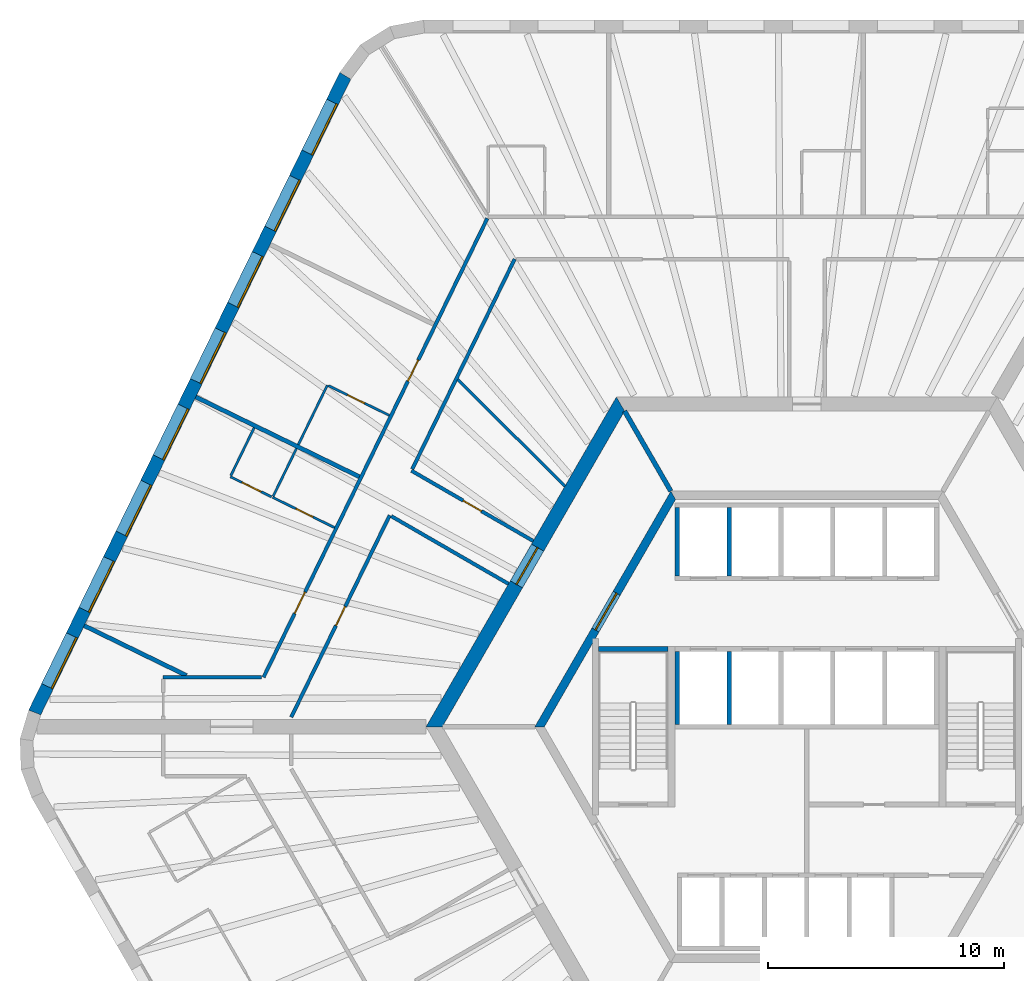
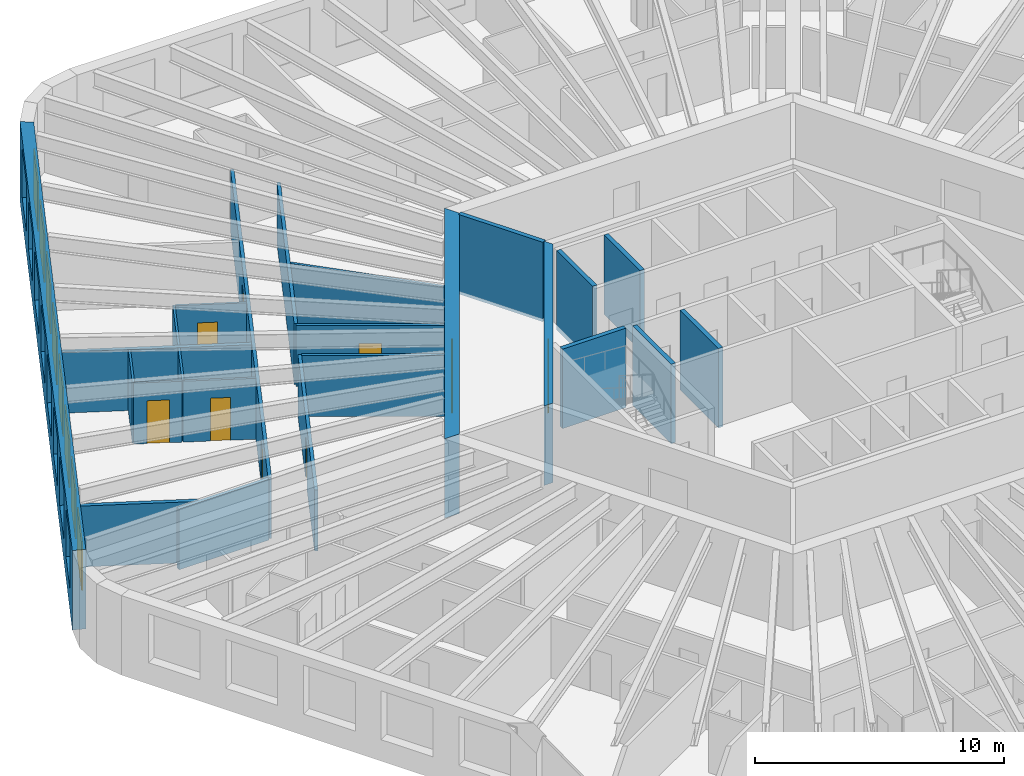
# One storey, part 7 of 12: 24 walls, 9 doors, 8 windows, 17 openings.
"""IFC4 building model written with IfcOpenShell, lengths in metres."""

from ifc_helpers import new_model, si_unit, direction, frame, frame_2d, origin, place, context, subcontext, project, spatial, polyline, rectangle, outline, extrude, material, layer, layer_set, type_object, element, fill, save


model = new_model("IFC4")

# Units and contexts
model_context = context("Model", 3, precision=1e-05, world=origin(), true_north=direction((0.0, 1.0)))
body_context = subcontext(model_context, "Body", "Model", "MODEL_VIEW")
ifc_project = project(units=[si_unit("LENGTHUNIT", "METRE"), si_unit("AREAUNIT", "SQUARE_METRE"), si_unit("VOLUMEUNIT", "CUBIC_METRE"), si_unit("PLANEANGLEUNIT", "RADIAN"), si_unit("MASSUNIT", "GRAM", prefix="KILO")], contexts=[model_context])

# Site, building, storey
site_placement = place(None, origin())
site = spatial("IfcSite", under=ifc_project, at=site_placement, CompositionType="ELEMENT")
building_placement = place(site_placement, origin())
building = spatial("IfcBuilding", under=site, at=building_placement, Name="Tarnside Tower", CompositionType="ELEMENT")
storey_placement = place(building_placement, frame((0.0, 0.0, 88.199951171875)))
storey = spatial("IfcBuildingStorey", under=building, at=storey_placement, Name="L19", CompositionType="ELEMENT", Elevation=88.199951171875)

# Wall
ifc_material_1 = material(Name="Gypsum board partition on steel studs", Category="steel")
ifc_layer_1 = layer(ifc_material_1, 0.10009765625)
ifc_layer_set_1 = layer_set([ifc_layer_1], Name="Bathroom wall 100")
wall_type_1 = type_object("IfcWallType", Name="Bathroom wall 100", PredefinedType="PARTITIONING", material=ifc_layer_set_1)
wall_1_placement = place(storey_placement, frame((-21.5849609375, 11.975341796875, 0.0), z_axis=(0.0, 0.0, 1.0), x_axis=(0.438399667674, 0.898780135174, 0.0)))
element("IfcWall", 1, at=wall_1_placement, inside=storey, type_object=wall_type_1, Name="Bathroom wall 05095", PredefinedType="PARTITIONING", context=body_context, shape_type="SweptSolid", body=[
    extrude(rectangle(XDim=2.81005859375, YDim=0.10009765625, at=frame_2d((1.405029296875, 0.0))), origin(), (0.0, 0.0, 1.0), 2.98779296875),
])

# Wall, opening, door
wall_2_placement = place(storey_placement, frame((-20.30810546875, 14.47900390625, 0.0), z_axis=(0.0, 0.0, 1.0), x_axis=(0.898799457159, -0.438360052708, 0.0)))
wall_2 = element("IfcWall", 2, at=wall_2_placement, inside=storey, type_object=wall_type_1, Name="Bathroom wall 05096", PredefinedType="PARTITIONING", context=body_context, shape_type="SweptSolid", body=[
    extrude(rectangle(XDim=2.875, YDim=0.10009765625, at=frame_2d((1.4375, 0.0))), origin(), (0.0, 0.0, 1.0), 2.98779296875),
])
opening_1_placement = place(wall_2_placement, frame((0.89990234375, 0.0, 0.0)))
opening_1 = element("IfcOpeningElement", 3, at=opening_1_placement, cuts=wall_2, Name="Opening D-B1", PredefinedType="OPENING", context=body_context, shape_type="SweptSolid", body=[
    extrude(rectangle(XDim=0.800048828125, YDim=2.10009765625, at=frame_2d((0.39990234375, 1.050048828125))), frame((0.0, 0.06005859375, 0.0), z_axis=(0.0, -1.0, 0.0), x_axis=(1.0, 0.0, 0.0)), (0.0, 0.0, 1.0), 0.1201171875),
])
ifc_material_2 = material(Name="Timber door leaf", Category="wood")
door_type_1 = type_object("IfcDoorType", Name="Bathroom door 800", OperationType="NOTDEFINED", PredefinedType="DOOR", material=ifc_material_2)
door_1_placement = place(opening_1_placement, origin())
door_1 = element("IfcDoor", 4, at=door_1_placement, inside=storey, type_object=door_type_1, Name="Bathroom door 05010", OperationType="SINGLE_SWING_RIGHT", OverallHeight=2.10009765625, OverallWidth=0.800048828125, PredefinedType="DOOR", context=body_context, shape_type="SweptSolid", body=[
    extrude(rectangle(XDim=0.800048828125, YDim=2.10009765625, at=frame_2d((0.39990234375, 1.050048828125))), frame((0.0, 0.02490234375, 0.0), z_axis=(0.0, -1.0, 0.0), x_axis=(1.0, 0.0, 0.0)), (0.0, 0.0, 1.0), 0.050048828125),
])
fill(opening_1, door_1)

wall_3_placement = place(storey_placement, frame((-20.04736328125, 8.455078125, 0.0), z_axis=(0.0, 0.0, 1.0), x_axis=(-0.89880694479, 0.438344699976, 0.0)))
wall_3 = element("IfcWall", 5, at=wall_3_placement, inside=storey, type_object=wall_type_1, Name="Bathroom wall 05100", PredefinedType="PARTITIONING", context=body_context, shape_type="SweptSolid", body=[
    extrude(rectangle(XDim=2.925048828125, YDim=0.10009765625, at=frame_2d((1.46240234375, 0.0))), origin(), (0.0, 0.0, 1.0), 2.98779296875),
])
opening_2_placement = place(wall_3_placement, frame((1.02490234375, 0.0, 0.0)))
opening_2 = element("IfcOpeningElement", 6, at=opening_2_placement, cuts=wall_3, Name="Opening D-B1", PredefinedType="OPENING", context=body_context, shape_type="SweptSolid", body=[
    extrude(rectangle(XDim=0.800048828125, YDim=2.10009765625, at=frame_2d((0.39990234375, 1.050048828125))), frame((0.0, 0.06005859375, 0.0), z_axis=(0.0, -1.0, 0.0), x_axis=(1.0, 0.0, 0.0)), (0.0, 0.0, 1.0), 0.1201171875),
])
door_2_placement = place(opening_2_placement, origin())
door_2 = element("IfcDoor", 7, at=door_2_placement, inside=storey, type_object=door_type_1, Name="Bathroom door 05012", OperationType="SINGLE_SWING_RIGHT", OverallHeight=2.10009765625, OverallWidth=0.800048828125, PredefinedType="DOOR", context=body_context, shape_type="SweptSolid", body=[
    extrude(rectangle(XDim=0.800048828125, YDim=2.10009765625, at=frame_2d((0.39990234375, 1.050048828125))), frame((0.0, 0.02490234375, 0.0), z_axis=(0.0, -1.0, 0.0), x_axis=(1.0, 0.0, 0.0)), (0.0, 0.0, 1.0), 0.050048828125),
])
fill(opening_2, door_2)

# Wall
wall_4_placement = place(storey_placement, frame((-21.663818359375, 11.8134765625, 0.0), z_axis=(0.0, 0.0, 1.0), x_axis=(-0.438376807268, -0.898791285477, 0.0)))
element("IfcWall", 8, at=wall_4_placement, inside=storey, type_object=wall_type_1, Name="Bathroom wall 05104", PredefinedType="PARTITIONING", context=body_context, shape_type="SweptSolid", body=[
    extrude(rectangle(XDim=2.260009765625, YDim=0.10009765625, at=frame_2d((1.1298828125, 0.0))), origin(), (0.0, 0.0, 1.0), 2.98779296875),
])

# Wall, opening, door
ifc_material_3 = material(Name="Concrete C50/60", Category="concrete")
ifc_layer_2 = layer(ifc_material_3, 0.35009765625)
ifc_layer_set_2 = layer_set([ifc_layer_2], Name="Core block wall 350 C50/60")
wall_type_2 = type_object("IfcWallType", Name="Core block wall 350 C50/60", PredefinedType="SHEAR", material=ifc_layer_set_2)
wall_5_placement = place(storey_placement, frame((-5.672607421875, 9.824951171875, -0.14990234375), z_axis=(0.0, 0.0, 1.0), x_axis=(-0.499995046907, -0.866028263435, 0.0)))
wall_5 = element("IfcWall", 9, at=wall_5_placement, inside=storey, type_object=wall_type_2, Name="L19 core block wall face 2", PredefinedType="SHEAR", context=body_context, shape_type="SweptSolid", body=[
    extrude(outline(polyline([(-0.10107421875, -0.175048828125), (11.44580078125, -0.175048828125), (11.24365234375, 0.175048828125), (0.10107421875, 0.175048828125), (-0.10107421875, -0.175048828125)])), origin(), (0.0, 0.0, 1.0), 3.89990234375),
])
opening_3_placement = place(wall_5_placement, frame((4.80126953125, 0.0, 0.14990234375)))
opening_3 = element("IfcOpeningElement", 10, at=opening_3_placement, cuts=wall_5, Name="Opening CD-LOB", PredefinedType="OPENING", context=body_context, shape_type="SweptSolid", body=[
    extrude(rectangle(XDim=1.800048828125, YDim=2.39990234375, at=frame_2d((0.89990234375, 1.199951171875))), frame((0.0, 0.18505859375, 0.0), z_axis=(0.0, -1.0, 0.0), x_axis=(1.0, 0.0, 0.0)), (0.0, 0.0, 1.0), 0.3701171875),
])
ifc_material_4 = material(Name="Steel fire door", Category="steel")
door_type_2 = type_object("IfcDoorType", Name="Lobby double door FD30S 1800x2400", OperationType="NOTDEFINED", PredefinedType="DOOR", material=ifc_material_4)
door_3_placement = place(opening_3_placement, origin())
door_3 = element("IfcDoor", 11, at=door_3_placement, inside=storey, type_object=door_type_2, Name="L19 lobby block door P1", OperationType="DOUBLE_DOOR_SINGLE_SWING", OverallHeight=2.39990234375, OverallWidth=1.800048828125, PredefinedType="DOOR", context=body_context, shape_type="SweptSolid", body=[
    extrude(rectangle(XDim=1.800048828125, YDim=2.39990234375, at=frame_2d((0.89990234375, 1.199951171875))), frame((0.0, 0.02490234375, 0.0), z_axis=(0.0, -1.0, 0.0), x_axis=(1.0, 0.0, 0.0)), (0.0, 0.0, 1.0), 0.050048828125),
])
fill(opening_3, door_3)

ifc_material_5 = material(Name="Concrete C80/95", Category="concrete")
ifc_layer_3 = layer(ifc_material_5, 0.60009765625)
ifc_layer_set_3 = layer_set([ifc_layer_3], Name="Core wall Z1 600 C80/95")
wall_type_3 = type_object("IfcWallType", Name="Core wall Z1 600 C80/95", PredefinedType="SHEAR", material=ifc_layer_set_3)
wall_6_placement = place(storey_placement, frame((-7.90966796875, 13.699951171875, -0.14990234375), z_axis=(0.0, 0.0, 1.0), x_axis=(-0.499999880136, -0.866025472988, 0.0)))
wall_6 = element("IfcWall", 12, at=wall_6_placement, inside=storey, type_object=wall_type_3, Name="L19 core wall face 2", PredefinedType="SHEAR", context=body_context, shape_type="SweptSolid", body=[
    extrude(outline(polyline([(-0.17333984375, -0.300048828125), (15.99267578125, -0.300048828125), (15.64599609375, 0.300048828125), (0.17333984375, 0.300048828125), (-0.17333984375, -0.300048828125)])), origin(), (0.0, 0.0, 1.0), 3.89990234375),
])
opening_4_placement = place(wall_6_placement, frame((7.03857421875, 0.0, 0.14990234375)))
opening_4 = element("IfcOpeningElement", 13, at=opening_4_placement, cuts=wall_6, Name="Opening CD-LOB", PredefinedType="OPENING", context=body_context, shape_type="SweptSolid", body=[
    extrude(rectangle(XDim=1.800048828125, YDim=2.39990234375, at=frame_2d((0.89990234375, 1.199951171875))), frame((0.0, 0.31005859375, 0.0), z_axis=(0.0, -1.0, 0.0), x_axis=(1.0, 0.0, 0.0)), (0.0, 0.0, 1.0), 0.6201171875),
])
door_4_placement = place(opening_4_placement, origin())
door_4 = element("IfcDoor", 14, at=door_4_placement, inside=storey, type_object=door_type_2, Name="L19 core door P1", OperationType="DOUBLE_DOOR_SINGLE_SWING", OverallHeight=2.39990234375, OverallWidth=1.800048828125, PredefinedType="DOOR", context=body_context, shape_type="SweptSolid", body=[
    extrude(rectangle(XDim=1.800048828125, YDim=2.39990234375, at=frame_2d((0.89990234375, 1.199951171875))), frame((0.0, 0.02490234375, 0.0), z_axis=(0.0, -1.0, 0.0), x_axis=(1.0, 0.0, 0.0)), (0.0, 0.0, 1.0), 0.050048828125),
])
fill(opening_4, door_4)

# Wall, openings, doors
ifc_layer_4 = layer(ifc_material_1, 0.14990234375)
ifc_layer_set_4 = layer_set([ifc_layer_4], Name="Corridor wall 150 EI 60")
wall_type_4 = type_object("IfcWallType", Name="Corridor wall 150 EI 60", PredefinedType="PARTITIONING", material=ifc_layer_set_4)
wall_7_placement = place(storey_placement, frame((-13.56494140625, 21.574951171875, 0.0), z_axis=(0.0, 0.0, 1.0), x_axis=(-0.438380787243, -0.898789344272, 0.0)))
wall_7 = element("IfcWall", 15, at=wall_7_placement, inside=storey, type_object=wall_type_4, Name="Corridor wall 05009", PredefinedType="PARTITIONING", context=body_context, shape_type="SweptSolid", body=[
    extrude(rectangle(XDim=21.66796875, YDim=0.14990234375, at=frame_2d((10.833984375, 0.0))), origin(), (0.0, 0.0, 1.0), 2.98779296875),
])
opening_5_placement = place(wall_7_placement, frame((6.683837890625, 0.0, 0.0)))
opening_5 = element("IfcOpeningElement", 16, at=opening_5_placement, cuts=wall_7, Name="Opening D-E1", PredefinedType="OPENING", context=body_context, shape_type="SweptSolid", body=[
    extrude(rectangle(XDim=1.0, YDim=2.10009765625, at=frame_2d((0.5, 1.050048828125))), frame((0.0, 0.0849609375, 0.0), z_axis=(0.0, -1.0, 0.0), x_axis=(1.0, 0.0, 0.0)), (0.0, 0.0, 1.0), 0.169921875),
])
opening_6_placement = place(wall_7_placement, frame((17.65087890625, 0.0, 0.0)))
opening_6 = element("IfcOpeningElement", 17, at=opening_6_placement, cuts=wall_7, Name="Opening D-E1", PredefinedType="OPENING", context=body_context, shape_type="SweptSolid", body=[
    extrude(rectangle(XDim=1.0, YDim=2.10009765625, at=frame_2d((0.5, 1.050048828125))), frame((0.0, 0.0849609375, 0.0), z_axis=(0.0, -1.0, 0.0), x_axis=(1.0, 0.0, 0.0)), (0.0, 0.0, 1.0), 0.169921875),
])
door_type_3 = type_object("IfcDoorType", Name="Unit entrance door 1000 FD30S", OperationType="NOTDEFINED", PredefinedType="DOOR", material=ifc_material_2)
door_5_placement = place(opening_5_placement, origin())
door_5 = element("IfcDoor", 18, at=door_5_placement, inside=storey, type_object=door_type_3, Name="Unit door 05009", OperationType="SINGLE_SWING_LEFT", OverallHeight=2.10009765625, OverallWidth=1.0, PredefinedType="DOOR", context=body_context, shape_type="SweptSolid", body=[
    extrude(rectangle(XDim=1.0, YDim=2.10009765625, at=frame_2d((0.5, 1.050048828125))), frame((0.0, 0.02490234375, 0.0), z_axis=(0.0, -1.0, 0.0), x_axis=(1.0, 0.0, 0.0)), (0.0, 0.0, 1.0), 0.050048828125),
])
fill(opening_5, door_5)
door_6_placement = place(opening_6_placement, origin())
door_6 = element("IfcDoor", 19, at=door_6_placement, inside=storey, type_object=door_type_3, Name="Unit door 05011", OperationType="SINGLE_SWING_LEFT", OverallHeight=2.10009765625, OverallWidth=1.0, PredefinedType="DOOR", context=body_context, shape_type="SweptSolid", body=[
    extrude(rectangle(XDim=1.0, YDim=2.10009765625, at=frame_2d((0.5, 1.050048828125))), frame((0.0, 0.02490234375, 0.0), z_axis=(0.0, -1.0, 0.0), x_axis=(1.0, 0.0, 0.0)), (0.0, 0.0, 1.0), 0.050048828125),
])
fill(opening_6, door_6)

# Walls
wall_8_placement = place(storey_placement, frame((-23.14697265625, 2.10009765625, 0.0), z_axis=(0.0, 0.0, 1.0), x_axis=(-1.0, 0.0, 0.0)))
element("IfcWall", 20, at=wall_8_placement, inside=storey, type_object=wall_type_4, Name="Corridor wall 05013", PredefinedType="PARTITIONING", context=body_context, shape_type="SweptSolid", body=[
    extrude(rectangle(XDim=4.17333984375, YDim=0.14990234375, at=frame_2d((2.086669921875, 0.0))), origin(), (0.0, 0.0, 1.0), 2.98779296875),
])
wall_9_placement = place(storey_placement, frame((-16.7509765625, 10.936767578125, 0.0), z_axis=(0.0, 0.0, 1.0), x_axis=(0.438378523504, 0.898790448397, 0.0)))
element("IfcWall", 21, at=wall_9_placement, inside=storey, type_object=wall_type_4, Name="Corridor wall 05017", PredefinedType="PARTITIONING", context=body_context, shape_type="SweptSolid", body=[
    extrude(rectangle(XDim=9.9169921875, YDim=0.14990234375, at=frame_2d((4.95849609375, 0.0))), origin(), (0.0, 0.0, 1.0), 2.98779296875),
])

# Wall, opening, door
wall_10_placement = place(storey_placement, frame((-11.61376953125, 7.88427734375, 0.0), z_axis=(0.0, 0.0, 1.0), x_axis=(-0.86603508376, 0.499983233416, 0.0)))
wall_10 = element("IfcWall", 22, at=wall_10_placement, inside=storey, type_object=wall_type_4, Name="Corridor wall 05020", PredefinedType="PARTITIONING", context=body_context, shape_type="SweptSolid", body=[
    extrude(rectangle(XDim=5.969970703125, YDim=0.14990234375, at=frame_2d((2.98486328125, 0.0))), origin(), (0.0, 0.0, 1.0), 2.98779296875),
])
opening_7_placement = place(wall_10_placement, frame((2.534912109375, 0.0, 0.0)))
opening_7 = element("IfcOpeningElement", 23, at=opening_7_placement, cuts=wall_10, Name="Opening D-S1", PredefinedType="OPENING", context=body_context, shape_type="SweptSolid", body=[
    extrude(rectangle(XDim=0.89990234375, YDim=2.10009765625, at=frame_2d((0.449951171875, 1.050048828125))), frame((0.0, 0.0849609375, 0.0), z_axis=(0.0, -1.0, 0.0), x_axis=(1.0, 0.0, 0.0)), (0.0, 0.0, 1.0), 0.169921875),
])
door_type_4 = type_object("IfcDoorType", Name="Service room door 900 FD30S", OperationType="NOTDEFINED", PredefinedType="DOOR", material=ifc_material_2)
door_7_placement = place(opening_7_placement, origin())
door_7 = element("IfcDoor", 24, at=door_7_placement, inside=storey, type_object=door_type_4, Name="Service door 05042", OperationType="SINGLE_SWING_RIGHT", OverallHeight=2.10009765625, OverallWidth=0.89990234375, PredefinedType="DOOR", context=body_context, shape_type="SweptSolid", body=[
    extrude(rectangle(XDim=0.89990234375, YDim=2.10009765625, at=frame_2d((0.449951171875, 1.050048828125))), frame((0.0, 0.02490234375, 0.0), z_axis=(0.0, -1.0, 0.0), x_axis=(1.0, 0.0, 0.0)), (0.0, 0.0, 1.0), 0.050048828125),
])
fill(opening_7, door_7)

wall_11_placement = place(storey_placement, frame((-21.88525390625, 0.41015625, 0.0), z_axis=(0.0, 0.0, 1.0), x_axis=(0.43837064471, 0.898794291179, 0.0)))
wall_11 = element("IfcWall", 25, at=wall_11_placement, inside=storey, type_object=wall_type_4, Name="Corridor wall 05025", PredefinedType="PARTITIONING", context=body_context, shape_type="SweptSolid", body=[
    extrude(rectangle(XDim=9.53173828125, YDim=0.14990234375, at=frame_2d((4.765869140625, 0.0))), origin(), (0.0, 0.0, 1.0), 2.98779296875),
])
opening_8_placement = place(wall_11_placement, frame((4.31591796875, 0.0, 0.0)))
opening_8 = element("IfcOpeningElement", 26, at=opening_8_placement, cuts=wall_11, Name="Opening D-S1", PredefinedType="OPENING", context=body_context, shape_type="SweptSolid", body=[
    extrude(rectangle(XDim=0.89990234375, YDim=2.10009765625, at=frame_2d((0.449951171875, 1.050048828125))), frame((0.0, 0.0849609375, 0.0), z_axis=(0.0, -1.0, 0.0), x_axis=(1.0, 0.0, 0.0)), (0.0, 0.0, 1.0), 0.169921875),
])
door_8_placement = place(opening_8_placement, origin())
door_8 = element("IfcDoor", 27, at=door_8_placement, inside=storey, type_object=door_type_4, Name="Service door 05044", OperationType="SINGLE_SWING_RIGHT", OverallHeight=2.10009765625, OverallWidth=0.89990234375, PredefinedType="DOOR", context=body_context, shape_type="SweptSolid", body=[
    extrude(rectangle(XDim=0.89990234375, YDim=2.10009765625, at=frame_2d((0.449951171875, 1.050048828125))), frame((0.0, 0.02490234375, 0.0), z_axis=(0.0, -1.0, 0.0), x_axis=(1.0, 0.0, 0.0)), (0.0, 0.0, 1.0), 0.050048828125),
])
fill(opening_8, door_8)

# Walls
wall_12_placement = place(storey_placement, frame((-17.6416015625, 8.939697265625, 0.0), z_axis=(0.0, 0.0, 1.0), x_axis=(0.866017948234, -0.500012913169, 0.0)))
element("IfcWall", 28, at=wall_12_placement, inside=storey, type_object=wall_type_4, Name="Corridor wall 05026", PredefinedType="PARTITIONING", context=body_context, shape_type="SweptSolid", body=[
    extrude(rectangle(XDim=5.747802734375, YDim=0.14990234375, at=frame_2d((2.8740234375, 0.0))), origin(), (0.0, 0.0, 1.0), 2.98779296875),
])
ifc_layer_5 = layer(ifc_material_1, 0.179931640625)
ifc_layer_set_5 = layer_set([ifc_layer_5], Name="Demising wall 180 EI 60")
wall_type_5 = type_object("IfcWallType", Name="Demising wall 180 EI 60", PredefinedType="PARTITIONING", material=ifc_layer_set_5)
wall_13_placement = place(storey_placement, frame((-25.9384765625, 13.99853515625, 0.0), z_axis=(0.0, 0.0, 1.0), x_axis=(0.898789402655, -0.438380667542, 0.0)))
element("IfcWall", 29, at=wall_13_placement, inside=storey, type_object=wall_type_5, Name="Demising wall 05097", PredefinedType="PARTITIONING", context=body_context, shape_type="SweptSolid", body=[
    extrude(rectangle(XDim=7.724853515625, YDim=0.179931640625, at=frame_2d((3.8623046875, 0.0))), origin(), (0.0, 0.0, 1.0), 2.98779296875),
])
wall_14_placement = place(storey_placement, frame((-30.673095703125, 4.29150390625, 0.0), z_axis=(0.0, 0.0, 1.0), x_axis=(0.898812662672, -0.438332975512, 0.0)))
element("IfcWall", 30, at=wall_14_placement, inside=storey, type_object=wall_type_5, Name="Demising wall 05103", PredefinedType="PARTITIONING", context=body_context, shape_type="SweptSolid", body=[
    extrude(rectangle(XDim=4.828369140625, YDim=0.179931640625, at=frame_2d((2.4140625, 0.0))), origin(), (0.0, 0.0, 1.0), 2.98779296875),
])
ifc_material_6 = material(Name="Concrete C40/50", Category="concrete")
ifc_layer_6 = layer(ifc_material_6, 0.199951171875)
ifc_layer_set_6 = layer_set([ifc_layer_6], Name="Lift shaft wall 200 C40/50")
wall_type_6 = type_object("IfcWallType", Name="Lift shaft wall 200 C40/50", PredefinedType="SHEAR", material=ifc_layer_set_6)
for number, where, z_axis, x_axis, name in (
    (31, (-5.5, 6.39990234375, -0.25), (0.0, 0.0, 1.0), (0.0, 1.0, 0.0), "L19 lift shaft partition R11"),
    (32, (-3.300048828125, 6.39990234375, -0.25), (0.0, 0.0, 1.0), (0.0, 1.0, 0.0), "L19 lift shaft partition R12"),
):
    element("IfcWall", number, at=place(storey_placement, frame(where, z_axis=z_axis, x_axis=x_axis)), inside=storey, type_object=wall_type_6, Name=name, PredefinedType="SHEAR", context=body_context, shape_type="SweptSolid", body=[
        extrude(rectangle(XDim=2.900146484375, YDim=0.199951171875, at=frame_2d((1.4501953125, 0.0))), origin(), (0.0, 0.0, 1.0), 3.900146484375),
    ])
for number, where, z_axis, x_axis, name in (
    (33, (-5.5, 0.10009765625, -0.25), (0.0, 0.0, 1.0), (0.0, 1.0, 0.0), "L19 lift shaft partition R21"),
    (34, (-3.300048828125, 0.10009765625, -0.25), (0.0, 0.0, 1.0), (0.0, 1.0, 0.0), "L19 lift shaft partition R22"),
):
    element("IfcWall", number, at=place(storey_placement, frame(where, z_axis=z_axis, x_axis=x_axis)), inside=storey, type_object=wall_type_6, Name=name, PredefinedType="SHEAR", context=body_context, shape_type="SweptSolid", body=[
        extrude(rectangle(XDim=3.099853515625, YDim=0.199951171875, at=frame_2d((1.5498046875, 0.0))), origin(), (0.0, 0.0, 1.0), 3.900146484375),
    ])
wall_15_placement = place(storey_placement, frame((-5.7734375, 10.0, -0.14990234375), z_axis=(0.0, 0.0, 1.0), x_axis=(-0.500038251005, 0.86600331843, 0.0)))
element("IfcWall", 35, at=wall_15_placement, inside=storey, type_object=wall_type_6, Name="L19 core partition AR120", PredefinedType="SHEAR", context=body_context, shape_type="SweptSolid", body=[
    extrude(rectangle(XDim=3.926025390625, YDim=0.199951171875, at=frame_2d((1.962890625, 0.0))), origin(), (0.0, 0.0, 1.0), 3.89990234375),
])
wall_16_placement = place(storey_placement, frame((-8.85009765625, 3.300048828125, -0.25), z_axis=(0.0, 0.0, 1.0), x_axis=(1.0, 0.0, 0.0)))
element("IfcWall", 36, at=wall_16_placement, inside=storey, type_object=wall_type_6, Name="L19 stair 2 enclosure cap wall n", PredefinedType="SHEAR", context=body_context, shape_type="SweptSolid", body=[
    extrude(rectangle(XDim=2.9501953125, YDim=0.199951171875, at=frame_2d((1.47509765625, 0.0))), origin(), (0.0, 0.0, 1.0), 3.900146484375),
])

# Wall, opening, door
ifc_layer_7 = layer(ifc_material_1, 0.10009765625)
ifc_layer_set_7 = layer_set([ifc_layer_7], Name="Partition 100")
wall_type_7 = type_object("IfcWallType", Name="Partition 100", PredefinedType="PARTITIONING", material=ifc_layer_set_7)
wall_17_placement = place(storey_placement, frame((-22.721435546875, 9.75927734375, 0.0), z_axis=(0.0, 0.0, 1.0), x_axis=(-0.898815368173, 0.438327427772, 0.0)))
wall_17 = element("IfcWall", 37, at=wall_17_placement, inside=storey, type_object=wall_type_7, Name="Partition wall 05101", PredefinedType="PARTITIONING", context=body_context, shape_type="SweptSolid", body=[
    extrude(rectangle(XDim=1.949951171875, YDim=0.10009765625, at=frame_2d((0.97509765625, 0.0))), origin(), (0.0, 0.0, 1.0), 2.98779296875),
])
opening_9_placement = place(wall_17_placement, frame((0.5, 0.0, 0.0)))
opening_9 = element("IfcOpeningElement", 38, at=opening_9_placement, cuts=wall_17, Name="Opening D-I1", PredefinedType="OPENING", context=body_context, shape_type="SweptSolid", body=[
    extrude(rectangle(XDim=0.89990234375, YDim=2.10009765625, at=frame_2d((0.449951171875, 1.050048828125))), frame((0.0, 0.06005859375, 0.0), z_axis=(0.0, -1.0, 0.0), x_axis=(1.0, 0.0, 0.0)), (0.0, 0.0, 1.0), 0.1201171875),
])
door_type_5 = type_object("IfcDoorType", Name="Internal door 900", OperationType="NOTDEFINED", PredefinedType="DOOR", material=ifc_material_2)
door_9_placement = place(opening_9_placement, origin())
door_9 = element("IfcDoor", 39, at=door_9_placement, inside=storey, type_object=door_type_5, Name="Internal door 05013", OperationType="SINGLE_SWING_RIGHT", OverallHeight=2.10009765625, OverallWidth=0.89990234375, PredefinedType="DOOR", context=body_context, shape_type="SweptSolid", body=[
    extrude(rectangle(XDim=0.89990234375, YDim=2.10009765625, at=frame_2d((0.449951171875, 1.050048828125))), frame((0.0, 0.02490234375, 0.0), z_axis=(0.0, -1.0, 0.0), x_axis=(1.0, 0.0, 0.0)), (0.0, 0.0, 1.0), 0.050048828125),
])
fill(opening_9, door_9)

# Walls
wall_18_placement = place(storey_placement, frame((-24.4521484375, 10.658935546875, 0.0), z_axis=(0.0, 0.0, 1.0), x_axis=(0.438376807268, 0.898791285477, 0.0)))
element("IfcWall", 40, at=wall_18_placement, inside=storey, type_object=wall_type_7, Name="Partition wall 05102", PredefinedType="PARTITIONING", context=body_context, shape_type="SweptSolid", body=[
    extrude(rectangle(XDim=2.260009765625, YDim=0.10009765625, at=frame_2d((1.1298828125, 0.0))), origin(), (0.0, 0.0, 1.0), 2.98779296875),
])
ifc_layer_8 = layer(ifc_material_1, 0.1201171875)
ifc_layer_set_8 = layer_set([ifc_layer_8], Name="Service room wall 120 EI 60")
wall_type_8 = type_object("IfcWallType", Name="Service room wall 120 EI 60", PredefinedType="PARTITIONING", material=ifc_layer_set_8)
wall_19_placement = place(storey_placement, frame((-14.8154296875, 14.73388671875, 0.0), z_axis=(0.0, 0.0, 1.0), x_axis=(0.709046184876, -0.705162043584, 0.0)))
element("IfcWall", 41, at=wall_19_placement, inside=storey, type_object=wall_type_8, Name="Service wall 05159", PredefinedType="PARTITIONING", context=body_context, shape_type="SweptSolid", body=[
    extrude(rectangle(XDim=6.411376953125, YDim=0.1201171875, at=frame_2d((3.20556640625, 0.0))), origin(), (0.0, 0.0, 1.0), 2.98779296875),
])

# Wall, openings, windows
ifc_material_7 = material(Name="Facing brick", Category="masonry")
ifc_layer_9 = layer(ifc_material_7, 0.10205078125)
ifc_material_8 = material(Name="Concrete C60/75 precast", Category="concrete")
ifc_layer_10 = layer(ifc_material_8, 0.347900390625)
ifc_material_9 = material(Name="Mineral wool insulation")
ifc_layer_11 = layer(ifc_material_9, 0.10009765625)
ifc_layer_set_9 = layer_set([ifc_layer_9, ifc_layer_10, ifc_layer_11], Name="Tube wall 550 brick faced")
wall_type_9 = type_object("IfcWallType", Name="Tube wall 550 brick faced", PredefinedType="SOLIDWALL", material=ifc_layer_set_9)
wall_20_placement = place(storey_placement, frame((-19.5947265625, 27.6328125, -0.14990234375), z_axis=(0.0, 0.0, 1.0), x_axis=(-0.438368285794, -0.898795441694, 0.0)))
wall_20 = element("IfcWall", 42, at=wall_20_placement, inside=storey, type_object=wall_type_9, Name="Tube wall L19 F2 flush 04", PredefinedType="SOLIDWALL", context=body_context, shape_type="SweptSolid", body=[
    extrude(outline(polyline([(-0.025634765625, -0.27490234375), (30.09326171875, -0.27490234375), (30.04833984375, 0.27490234375), (0.025634765625, 0.27490234375), (-0.025634765625, -0.27490234375)])), origin(), (0.0, 0.0, 1.0), 3.89990234375),
])
opening_10_placement = place(wall_20_placement, frame((1.235595703125, 0.0, 1.050048828125)))
opening_10 = element("IfcOpeningElement", 43, at=opening_10_placement, cuts=wall_20, Name="Opening WH", PredefinedType="OPENING", context=body_context, shape_type="SweptSolid", body=[
    extrude(rectangle(XDim=2.39990234375, YDim=2.39990234375, at=frame_2d((1.199951171875, 1.199951171875))), frame((0.0, 0.28515625, 0.0), z_axis=(0.0, -1.0, 0.0), x_axis=(1.0, 0.0, 0.0)), (0.0, 0.0, 1.0), 0.570068359375),
])
opening_11_placement = place(wall_20_placement, frame((4.83544921875, 0.0, 1.050048828125)))
opening_11 = element("IfcOpeningElement", 44, at=opening_11_placement, cuts=wall_20, Name="Opening WH", PredefinedType="OPENING", context=body_context, shape_type="SweptSolid", body=[
    extrude(rectangle(XDim=2.39990234375, YDim=2.39990234375, at=frame_2d((1.199951171875, 1.199951171875))), frame((0.0, 0.28515625, 0.0), z_axis=(0.0, -1.0, 0.0), x_axis=(1.0, 0.0, 0.0)), (0.0, 0.0, 1.0), 0.570068359375),
])
opening_12_placement = place(wall_20_placement, frame((8.435546875, 0.0, 1.050048828125)))
opening_12 = element("IfcOpeningElement", 45, at=opening_12_placement, cuts=wall_20, Name="Opening WH", PredefinedType="OPENING", context=body_context, shape_type="SweptSolid", body=[
    extrude(rectangle(XDim=2.39990234375, YDim=2.39990234375, at=frame_2d((1.199951171875, 1.199951171875))), frame((0.0, 0.28515625, 0.0), z_axis=(0.0, -1.0, 0.0), x_axis=(1.0, 0.0, 0.0)), (0.0, 0.0, 1.0), 0.570068359375),
])
opening_13_placement = place(wall_20_placement, frame((12.035400390625, 0.0, 1.050048828125)))
opening_13 = element("IfcOpeningElement", 46, at=opening_13_placement, cuts=wall_20, Name="Opening WH", PredefinedType="OPENING", context=body_context, shape_type="SweptSolid", body=[
    extrude(rectangle(XDim=2.39990234375, YDim=2.39990234375, at=frame_2d((1.199951171875, 1.199951171875))), frame((0.0, 0.28515625, 0.0), z_axis=(0.0, -1.0, 0.0), x_axis=(1.0, 0.0, 0.0)), (0.0, 0.0, 1.0), 0.570068359375),
])
opening_14_placement = place(wall_20_placement, frame((15.635498046875, 0.0, 1.050048828125)))
opening_14 = element("IfcOpeningElement", 47, at=opening_14_placement, cuts=wall_20, Name="Opening WH", PredefinedType="OPENING", context=body_context, shape_type="SweptSolid", body=[
    extrude(rectangle(XDim=2.39990234375, YDim=2.39990234375, at=frame_2d((1.199951171875, 1.199951171875))), frame((0.0, 0.28515625, 0.0), z_axis=(0.0, -1.0, 0.0), x_axis=(1.0, 0.0, 0.0)), (0.0, 0.0, 1.0), 0.570068359375),
])
opening_15_placement = place(wall_20_placement, frame((19.235595703125, 0.0, 1.050048828125)))
opening_15 = element("IfcOpeningElement", 48, at=opening_15_placement, cuts=wall_20, Name="Opening WH", PredefinedType="OPENING", context=body_context, shape_type="SweptSolid", body=[
    extrude(rectangle(XDim=2.39990234375, YDim=2.39990234375, at=frame_2d((1.199951171875, 1.199951171875))), frame((0.0, 0.28515625, 0.0), z_axis=(0.0, -1.0, 0.0), x_axis=(1.0, 0.0, 0.0)), (0.0, 0.0, 1.0), 0.570068359375),
])
opening_16_placement = place(wall_20_placement, frame((22.83544921875, 0.0, 1.050048828125)))
opening_16 = element("IfcOpeningElement", 49, at=opening_16_placement, cuts=wall_20, Name="Opening WH", PredefinedType="OPENING", context=body_context, shape_type="SweptSolid", body=[
    extrude(rectangle(XDim=2.39990234375, YDim=2.39990234375, at=frame_2d((1.199951171875, 1.199951171875))), frame((0.0, 0.28515625, 0.0), z_axis=(0.0, -1.0, 0.0), x_axis=(1.0, 0.0, 0.0)), (0.0, 0.0, 1.0), 0.570068359375),
])
opening_17_placement = place(wall_20_placement, frame((26.435546875, 0.0, 1.050048828125)))
opening_17 = element("IfcOpeningElement", 50, at=opening_17_placement, cuts=wall_20, Name="Opening WH", PredefinedType="OPENING", context=body_context, shape_type="SweptSolid", body=[
    extrude(rectangle(XDim=2.39990234375, YDim=2.39990234375, at=frame_2d((1.199951171875, 1.199951171875))), frame((0.0, 0.28515625, 0.0), z_axis=(0.0, -1.0, 0.0), x_axis=(1.0, 0.0, 0.0)), (0.0, 0.0, 1.0), 0.570068359375),
])
ifc_material_10 = material(Name="Aluminium-framed double glazing", Category="aluminium")
window_type = type_object("IfcWindowType", Name="Hotel window 2400 x 2400", PartitioningType="DOUBLE_PANEL_VERTICAL", PredefinedType="WINDOW", material=ifc_material_10)
window_1_placement = place(opening_10_placement, frame((0.0, 0.205078125, 0.0)))
window_1 = element("IfcWindow", 51, at=window_1_placement, inside=storey, type_object=window_type, Name="E.WN.L19.F2.00", OverallHeight=2.39990234375, OverallWidth=2.39990234375, PartitioningType="DOUBLE_PANEL_VERTICAL", PredefinedType="WINDOW", context=body_context, shape_type="SweptSolid", body=[
    extrude(rectangle(XDim=2.39990234375, YDim=2.39990234375, at=frame_2d((1.199951171875, 1.199951171875))), frame((0.0, 0.030029296875, 0.0), z_axis=(0.0, -1.0, 0.0), x_axis=(1.0, 0.0, 0.0)), (0.0, 0.0, 1.0), 0.06005859375),
])
fill(opening_10, window_1)
window_2_placement = place(opening_11_placement, frame((0.0, 0.205078125, 0.0)))
window_2 = element("IfcWindow", 52, at=window_2_placement, inside=storey, type_object=window_type, Name="E.WN.L19.F2.01", OverallHeight=2.39990234375, OverallWidth=2.39990234375, PartitioningType="DOUBLE_PANEL_VERTICAL", PredefinedType="WINDOW", context=body_context, shape_type="SweptSolid", body=[
    extrude(rectangle(XDim=2.39990234375, YDim=2.39990234375, at=frame_2d((1.199951171875, 1.199951171875))), frame((0.0, 0.030029296875, 0.0), z_axis=(0.0, -1.0, 0.0), x_axis=(1.0, 0.0, 0.0)), (0.0, 0.0, 1.0), 0.06005859375),
])
fill(opening_11, window_2)
window_3_placement = place(opening_12_placement, frame((0.0, 0.205078125, 0.0)))
window_3 = element("IfcWindow", 53, at=window_3_placement, inside=storey, type_object=window_type, Name="E.WN.L19.F2.02", OverallHeight=2.39990234375, OverallWidth=2.39990234375, PartitioningType="DOUBLE_PANEL_VERTICAL", PredefinedType="WINDOW", context=body_context, shape_type="SweptSolid", body=[
    extrude(rectangle(XDim=2.39990234375, YDim=2.39990234375, at=frame_2d((1.199951171875, 1.199951171875))), frame((0.0, 0.030029296875, 0.0), z_axis=(0.0, -1.0, 0.0), x_axis=(1.0, 0.0, 0.0)), (0.0, 0.0, 1.0), 0.06005859375),
])
fill(opening_12, window_3)
window_4_placement = place(opening_13_placement, frame((0.0, 0.205078125, 0.0)))
window_4 = element("IfcWindow", 54, at=window_4_placement, inside=storey, type_object=window_type, Name="E.WN.L19.F2.03", OverallHeight=2.39990234375, OverallWidth=2.39990234375, PartitioningType="DOUBLE_PANEL_VERTICAL", PredefinedType="WINDOW", context=body_context, shape_type="SweptSolid", body=[
    extrude(rectangle(XDim=2.39990234375, YDim=2.39990234375, at=frame_2d((1.199951171875, 1.199951171875))), frame((0.0, 0.030029296875, 0.0), z_axis=(0.0, -1.0, 0.0), x_axis=(1.0, 0.0, 0.0)), (0.0, 0.0, 1.0), 0.06005859375),
])
fill(opening_13, window_4)
window_5_placement = place(opening_14_placement, frame((0.0, 0.205078125, 0.0)))
window_5 = element("IfcWindow", 55, at=window_5_placement, inside=storey, type_object=window_type, Name="E.WN.L19.F2.04", OverallHeight=2.39990234375, OverallWidth=2.39990234375, PartitioningType="DOUBLE_PANEL_VERTICAL", PredefinedType="WINDOW", context=body_context, shape_type="SweptSolid", body=[
    extrude(rectangle(XDim=2.39990234375, YDim=2.39990234375, at=frame_2d((1.199951171875, 1.199951171875))), frame((0.0, 0.030029296875, 0.0), z_axis=(0.0, -1.0, 0.0), x_axis=(1.0, 0.0, 0.0)), (0.0, 0.0, 1.0), 0.06005859375),
])
fill(opening_14, window_5)
window_6_placement = place(opening_15_placement, frame((0.0, 0.205078125, 0.0)))
window_6 = element("IfcWindow", 56, at=window_6_placement, inside=storey, type_object=window_type, Name="E.WN.L19.F2.05", OverallHeight=2.39990234375, OverallWidth=2.39990234375, PartitioningType="DOUBLE_PANEL_VERTICAL", PredefinedType="WINDOW", context=body_context, shape_type="SweptSolid", body=[
    extrude(rectangle(XDim=2.39990234375, YDim=2.39990234375, at=frame_2d((1.199951171875, 1.199951171875))), frame((0.0, 0.030029296875, 0.0), z_axis=(0.0, -1.0, 0.0), x_axis=(1.0, 0.0, 0.0)), (0.0, 0.0, 1.0), 0.06005859375),
])
fill(opening_15, window_6)
window_7_placement = place(opening_16_placement, frame((0.0, 0.205078125, 0.0)))
window_7 = element("IfcWindow", 57, at=window_7_placement, inside=storey, type_object=window_type, Name="E.WN.L19.F2.06", OverallHeight=2.39990234375, OverallWidth=2.39990234375, PartitioningType="DOUBLE_PANEL_VERTICAL", PredefinedType="WINDOW", context=body_context, shape_type="SweptSolid", body=[
    extrude(rectangle(XDim=2.39990234375, YDim=2.39990234375, at=frame_2d((1.199951171875, 1.199951171875))), frame((0.0, 0.030029296875, 0.0), z_axis=(0.0, -1.0, 0.0), x_axis=(1.0, 0.0, 0.0)), (0.0, 0.0, 1.0), 0.06005859375),
])
fill(opening_16, window_7)
window_8_placement = place(opening_17_placement, frame((0.0, 0.205078125, 0.0)))
window_8 = element("IfcWindow", 58, at=window_8_placement, inside=storey, type_object=window_type, Name="E.WN.L19.F2.07", OverallHeight=2.39990234375, OverallWidth=2.39990234375, PartitioningType="DOUBLE_PANEL_VERTICAL", PredefinedType="WINDOW", context=body_context, shape_type="SweptSolid", body=[
    extrude(rectangle(XDim=2.39990234375, YDim=2.39990234375, at=frame_2d((1.199951171875, 1.199951171875))), frame((0.0, 0.030029296875, 0.0), z_axis=(0.0, -1.0, 0.0), x_axis=(1.0, 0.0, 0.0)), (0.0, 0.0, 1.0), 0.06005859375),
])
fill(opening_17, window_8)

save(model, "model.ifc")
